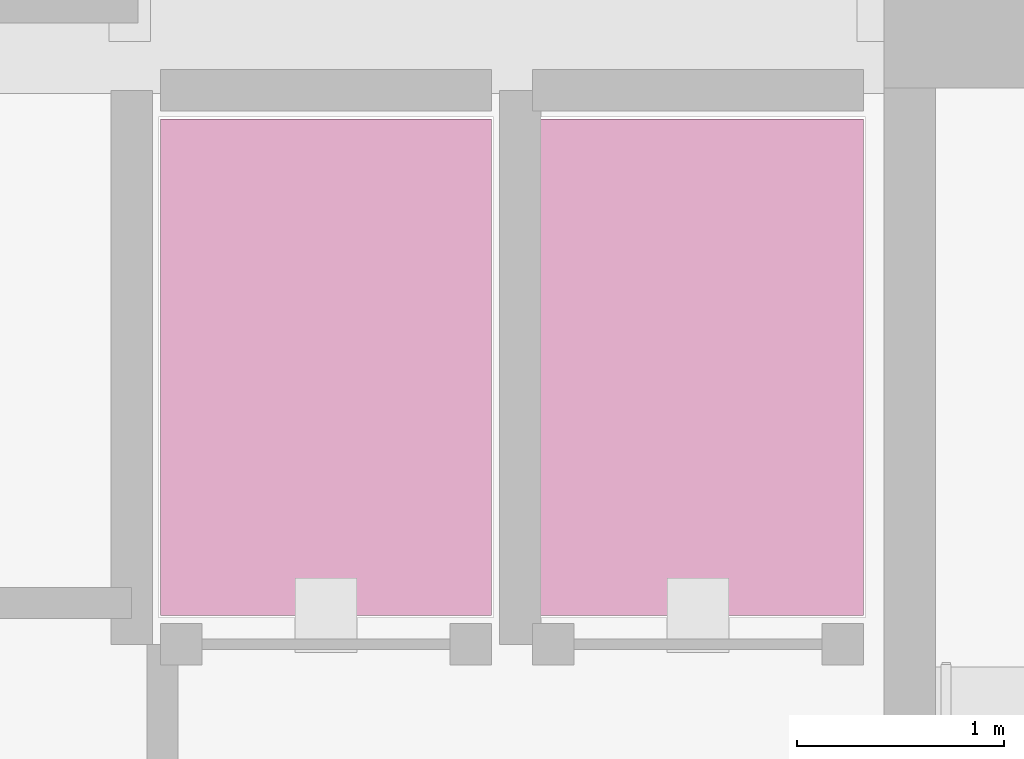
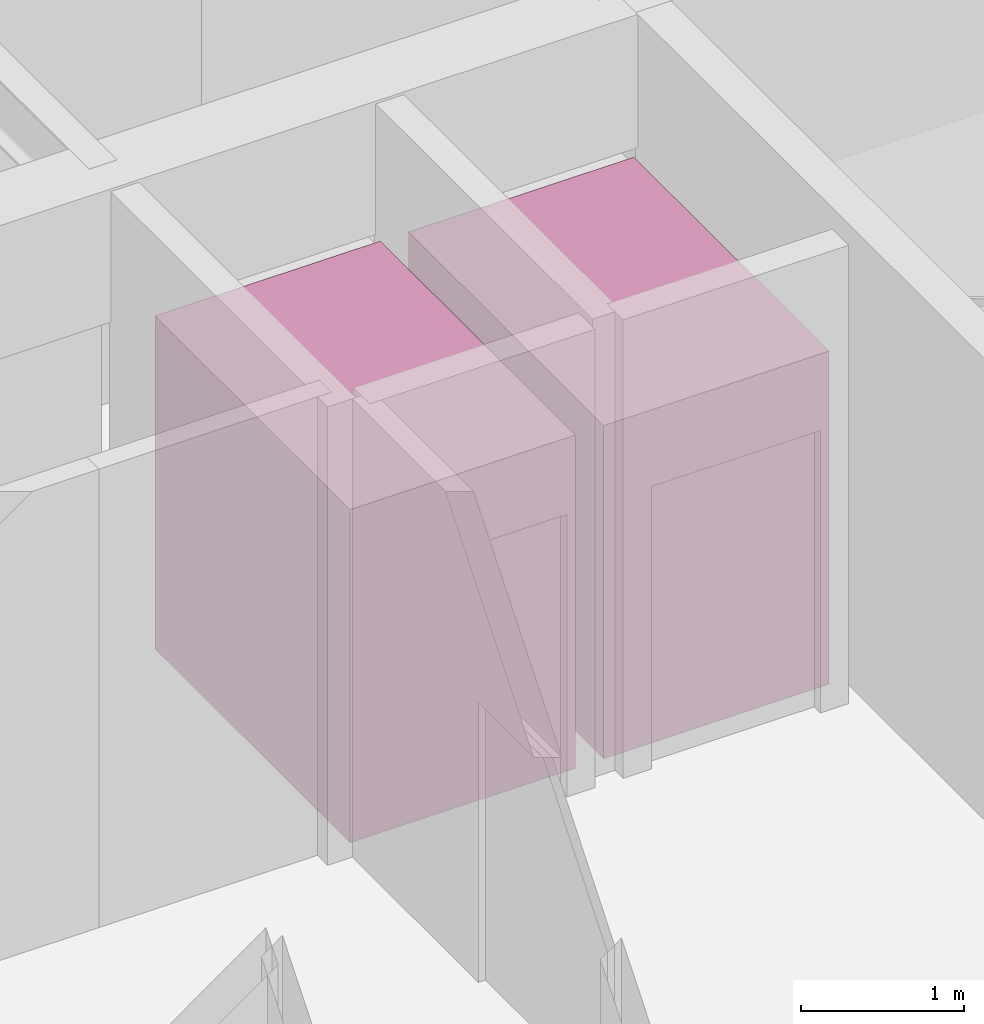
# One storey, part 14 of 14: 2 transport elements.
"""IFC4 building model written with IfcOpenShell, lengths in metres."""

from ifc_helpers import new_model, si_unit, direction, frame, origin, origin_2d, place, context, subcontext, project, spatial, rectangle, extrude, source, transform, mapped, material, type_object, element, save


model = new_model("IFC4")

# Units and contexts
model_context = context("Model", 3, precision=1e-05, world=origin(), true_north=direction((0.0, 1.0)))
body_context = subcontext(model_context, "Body", "Model", "MODEL_VIEW")
ifc_project = project(units=[si_unit("LENGTHUNIT", "METRE"), si_unit("AREAUNIT", "SQUARE_METRE"), si_unit("VOLUMEUNIT", "CUBIC_METRE"), si_unit("PLANEANGLEUNIT", "RADIAN"), si_unit("MASSUNIT", "GRAM", prefix="KILO")], contexts=[model_context])

# Site, building, storey
site_placement = place(None, origin())
site = spatial("IfcSite", under=ifc_project, at=site_placement, CompositionType="ELEMENT")
building_placement = place(site_placement, origin())
building = spatial("IfcBuilding", under=site, at=building_placement, Name="Kaliganga Portal Commons", CompositionType="ELEMENT")
storey_placement = place(building_placement, frame((0.0, 0.0, 151.300048828125)))
storey = spatial("IfcBuildingStorey", under=building, at=storey_placement, Name="L38", CompositionType="ELEMENT", Elevation=151.300048828125)

# Transport elements
ifc_material = material(Name="Fire-Rated Stainless Steel Stretcher Lift Car", Category="steel")
transport_element_type = type_object("IfcTransportElementType", Name="XPT-ELEV-FF", PredefinedType="ELEVATOR", material=ifc_material)
shared_shape = source(origin(), body_context, "Body", "SweptSolid", [
    extrude(rectangle(XDim=1.60009765625, YDim=2.39990234375, at=origin_2d()), origin(), (0.0, 0.0, 1.0), 2.5),
])
for number, where, z_axis, x_axis, name in (
    (1, (22.550048828125, 34.5, 0.0), (0.0, 0.0, 1.0), (1.0, 0.0, 0.0), "Firefighting Stretcher Lift FFL-1"),
    (2, (24.35009765625, 34.5, 0.0), (0.0, 0.0, 1.0), (1.0, 0.0, 0.0), "Firefighting Stretcher Lift FFL-2"),
):
    element("IfcTransportElement", number, at=place(storey_placement, frame(where, z_axis=z_axis, x_axis=x_axis)), inside=storey, type_object=transport_element_type, Name=name, PredefinedType="ELEVATOR", context=body_context, shape_type="MappedRepresentation", body=[
        mapped(shared_shape, transform((0.0, 0.0, 0.0), x_axis=(1.0, 0.0, 0.0), y_axis=(0.0, 1.0, 0.0), z_axis=(0.0, 0.0, 1.0), scale=1.0)),
    ])

save(model, "model.ifc")
